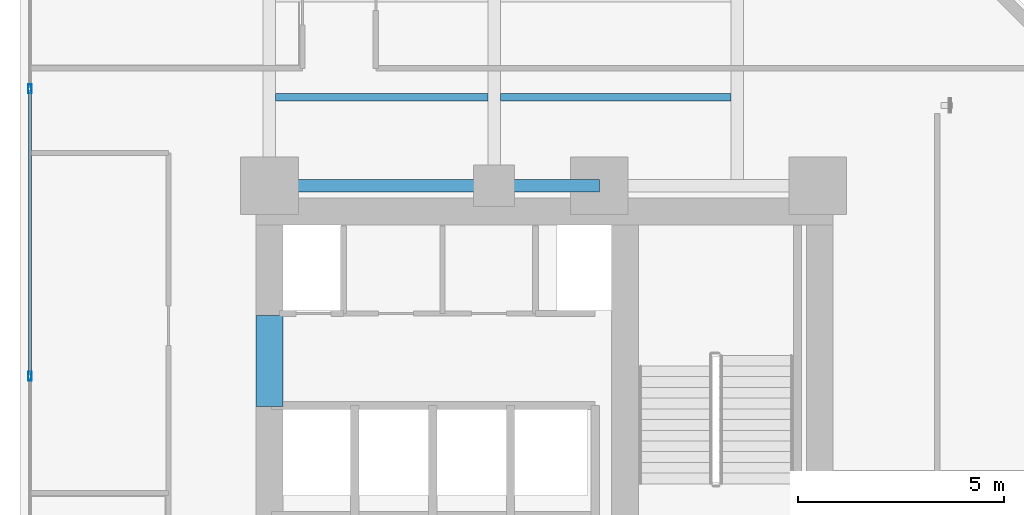
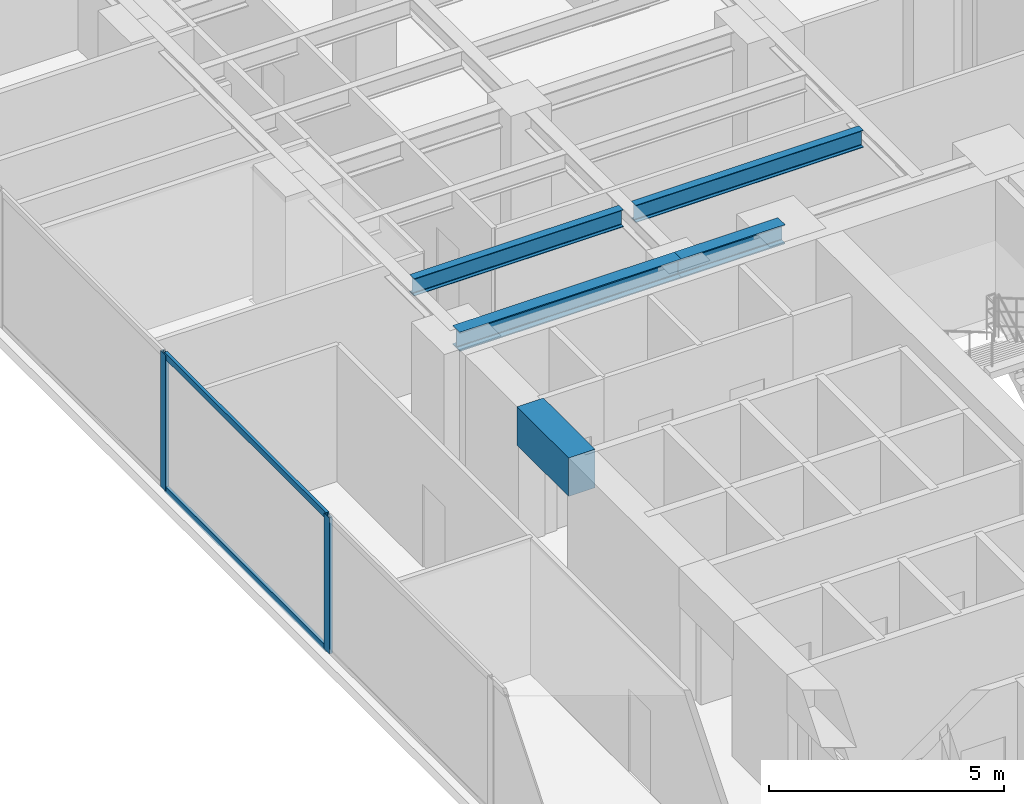
# One storey, part 6 of 28: 5 beams, 4 members, 1 element without a shape of its own.
"""IFC4 building model written with IfcOpenShell, lengths in metres."""

from ifc_helpers import new_model, si_unit, direction, frame, origin, origin_with_axes, origin_2d, place, context, subcontext, project, spatial, rectangle, hollow_rectangle, i_section, extrude, source, transform, mapped, material, layer, layer_set, material_profile, profile_set, type_object, element, aggregate, save


model = new_model("IFC4")

# Units and contexts
model_context = context("Model", 3, precision=1e-05, world=origin(), true_north=direction((0.0, 1.0)))
body_context = subcontext(model_context, "Body", "Model", "MODEL_VIEW")
ifc_project = project(units=[si_unit("LENGTHUNIT", "METRE"), si_unit("AREAUNIT", "SQUARE_METRE"), si_unit("VOLUMEUNIT", "CUBIC_METRE"), si_unit("PLANEANGLEUNIT", "RADIAN"), si_unit("MASSUNIT", "GRAM", prefix="KILO")], contexts=[model_context])

# Site, building, storey
site_placement = place(None, origin())
site = spatial("IfcSite", under=ifc_project, at=site_placement, CompositionType="ELEMENT")
building_placement = place(site_placement, origin())
building = spatial("IfcBuilding", under=site, at=building_placement, Name="Kolvaren Waterfront Exchange", CompositionType="ELEMENT")
storey_placement = place(building_placement, frame((0.0, 0.0, 103.10009765625)))
storey = spatial("IfcBuildingStorey", under=building, at=storey_placement, Name="L26", CompositionType="ELEMENT", Elevation=103.10009765625)

# Beams
ifc_material_1 = material(Name="Steel S355", Category="steel")
ifc_material_profile_1 = material_profile(ifc_material_1, i_section(OverallWidth=0.300048828125, OverallDepth=0.5, WebThickness=0.014404296875, FlangeThickness=0.028076171875, FilletRadius=0.027099609375, at=origin_2d()), Name="HEB500")
ifc_profile_set_1 = profile_set([ifc_material_profile_1], Name="Steel S355")
beam_type_1 = type_object("IfcBeamType", Name="STR-BM-HEB500", PredefinedType="BEAM", material=ifc_profile_set_1)
beam_1_placement = place(storey_placement, frame((7.449951171875, 24.449951171875, 3.289794921875), z_axis=(1.0, 0.0, 0.0), x_axis=(0.0, 1.0, 0.0)))
element("IfcBeam", 1, at=beam_1_placement, inside=storey, type_object=beam_type_1, Name="L26 north-arm girder 1A", PredefinedType="BEAM", context=body_context, shape_type="SweptSolid", body=[
    extrude(i_section(OverallWidth=0.300048828125, OverallDepth=0.5, WebThickness=0.014404296875, FlangeThickness=0.028076171875, FilletRadius=0.027099609375, at=origin_2d()), origin(), (0.0, 0.0, 1.0), 5.449951171875),
])
beam_2_placement = place(storey_placement, frame((12.89990234375, 24.449951171875, 3.289794921875), z_axis=(1.0, 0.0, 0.0), x_axis=(0.0, 1.0, 0.0)))
element("IfcBeam", 2, at=beam_2_placement, inside=storey, type_object=beam_type_1, Name="L26 north-arm girder 1B", PredefinedType="BEAM", context=body_context, shape_type="SweptSolid", body=[
    extrude(i_section(OverallWidth=0.300048828125, OverallDepth=0.5, WebThickness=0.014404296875, FlangeThickness=0.028076171875, FilletRadius=0.027099609375, at=origin_2d()), origin(), (0.0, 0.0, 1.0), 2.550048828125),
])
ifc_material_profile_2 = material_profile(ifc_material_1, i_section(OverallWidth=0.18994140625, OverallDepth=0.449951171875, WebThickness=0.009521484375, FlangeThickness=0.0146484375, FilletRadius=0.02099609375, at=origin_2d()), Name="IPE450")
ifc_profile_set_2 = profile_set([ifc_material_profile_2], Name="Steel S355")
beam_type_2 = type_object("IfcBeamType", Name="STR-BM-IPE450", PredefinedType="JOIST", material=ifc_profile_set_2)
beam_3_placement = place(storey_placement, frame((7.60205078125, 26.60009765625, 3.31494140625), z_axis=(1.0, 0.0, 0.0), x_axis=(0.0, 1.0, 0.0)))
element("IfcBeam", 3, at=beam_3_placement, inside=storey, type_object=beam_type_2, Name="L26 north-arm composite joist 1A", PredefinedType="JOIST", context=body_context, shape_type="SweptSolid", body=[
    extrude(i_section(OverallWidth=0.18994140625, OverallDepth=0.449951171875, WebThickness=0.009521484375, FlangeThickness=0.0146484375, FilletRadius=0.02099609375, at=origin_2d()), origin(), (0.0, 0.0, 1.0), 5.14599609375),
])
beam_4_placement = place(storey_placement, frame((13.052001953125, 26.60009765625, 3.31494140625), z_axis=(1.0, 0.0, 0.0), x_axis=(0.0, 1.0, 0.0)))
element("IfcBeam", 4, at=beam_4_placement, inside=storey, type_object=beam_type_2, Name="L26 north-arm composite joist 1B", PredefinedType="JOIST", context=body_context, shape_type="SweptSolid", body=[
    extrude(i_section(OverallWidth=0.18994140625, OverallDepth=0.449951171875, WebThickness=0.009521484375, FlangeThickness=0.0146484375, FilletRadius=0.02099609375, at=origin_2d()), origin(), (0.0, 0.0, 1.0), 5.595947265625),
])
ifc_material_2 = material(Name="Concrete C60/75", Category="concrete")
ifc_material_profile_3 = material_profile(ifc_material_2, rectangle(XDim=0.64990234375, YDim=1.0, at=origin_2d()), Name="RC-CB-1000x650")
ifc_profile_set_3 = profile_set([ifc_material_profile_3], Name="Concrete C60/75")
beam_type_3 = type_object("IfcBeamType", Name="STR-CB-1000", PredefinedType="SPANDREL", material=ifc_profile_set_3)
beam_5_placement = place(storey_placement, frame((7.449951171875, 19.10009765625, 3.039794921875), z_axis=(0.0, 1.0, 0.0), x_axis=(-1.0, 0.0, 0.0)))
element("IfcBeam", 5, at=beam_5_placement, inside=storey, type_object=beam_type_3, Name="L26 core coupling beam 5", PredefinedType="SPANDREL", context=body_context, shape_type="SweptSolid", body=[
    extrude(rectangle(XDim=0.64990234375, YDim=1.0, at=origin_2d()), origin(), (0.0, 0.0, 1.0), 2.199951171875),
])

# Curtain wall, members
ifc_material_3 = material(Name="Anodised aluminium 6063-T6", Category="aluminium")
ifc_layer = layer(ifc_material_3, 0.219970703125, Name="Anodised aluminium 6063-T6")
ifc_layer_set = layer_set([ifc_layer], Name="Anodised aluminium 6063-T6")
curtain_wall_type = type_object("IfcCurtainWallType", Name="ARC-CW-SYS2", PredefinedType="USERDEFINED", material=ifc_layer_set)
curtain_wall_placement = place(storey_placement, origin())
curtain_wall = element("IfcCurtainWall", 6, at=curtain_wall_placement, inside=storey, type_object=curtain_wall_type, Name="L26 stick curtain wall CW2 (CW-L26-W)", ObjectType="STICK CURTAIN WALL", PredefinedType="USERDEFINED")
ifc_material_profile_4 = material_profile(ifc_material_3, hollow_rectangle(XDim=0.080078125, YDim=0.219970703125, WallThickness=0.0048828125, at=origin_2d()), Name="ALU-MUL-220x80x5")
ifc_profile_set_4 = profile_set([ifc_material_profile_4], Name="Anodised aluminium 6063-T6")
member_type_1 = type_object("IfcMemberType", Name="ARC-CWM-220", PredefinedType="MULLION", material=ifc_profile_set_4)
shared_shape_1 = source(origin_with_axes(), body_context, "Body", "SweptSolid", [
    extrude(hollow_rectangle(XDim=0.080078125, YDim=0.219970703125, WallThickness=0.0048828125, at=origin_2d()), origin(), (0.0, 0.0, 1.0), 3.539794921875),
])
member_1_placement = place(storey_placement, frame((1.639892578125, 19.833251953125, 0.0), z_axis=(0.0, 0.0, 1.0), x_axis=(-1.0, 0.0, 0.0)))
member_1 = element("IfcMember", 7, at=member_1_placement, type_object=member_type_1, Name="CW2 mullion 3", PredefinedType="MULLION", context=body_context, shape_type="MappedRepresentation", body=[
    mapped(shared_shape_1, transform((0.0, 0.0, 0.0), x_axis=(1.0, 0.0, 0.0), y_axis=(0.0, 1.0, 0.0), z_axis=(0.0, 0.0, 1.0), scale=1.0)),
])
member_2_placement = place(storey_placement, frame((1.639892578125, 26.800048828125, 0.0), z_axis=(0.0, 0.0, 1.0), x_axis=(-1.0, 0.0, 0.0)))
member_2 = element("IfcMember", 8, at=member_2_placement, type_object=member_type_1, Name="CW2 mullion 4", PredefinedType="MULLION", context=body_context, shape_type="MappedRepresentation", body=[
    mapped(shared_shape_1, transform((0.0, 0.0, 0.0), x_axis=(1.0, 0.0, 0.0), y_axis=(0.0, 1.0, 0.0), z_axis=(0.0, 0.0, 1.0), scale=1.0)),
])
ifc_material_profile_5 = material_profile(ifc_material_3, hollow_rectangle(XDim=0.074951171875, YDim=0.159912109375, WallThickness=0.00439453125, at=origin_2d()), Name="ALU-TRN-160x75x4.5")
ifc_profile_set_5 = profile_set([ifc_material_profile_5], Name="Anodised aluminium 6063-T6")
member_type_2 = type_object("IfcMemberType", Name="ARC-CWT-160", PredefinedType="USERDEFINED", material=ifc_profile_set_5)
shared_shape_2 = source(origin_with_axes(), body_context, "Body", "SweptSolid", [
    extrude(hollow_rectangle(XDim=0.074951171875, YDim=0.159912109375, WallThickness=0.00439453125, at=origin_2d()), origin(), (0.0, 0.0, 1.0), 6.88671875),
])
member_3_placement = place(storey_placement, frame((1.639892578125, 19.873291015625, 0.037353515625), z_axis=(0.0, 1.0, 0.0), x_axis=(-1.0, 0.0, 0.0)))
member_3 = element("IfcMember", 9, at=member_3_placement, type_object=member_type_2, Name="CW2 transom 3.1", ObjectType="TRANSOM", PredefinedType="USERDEFINED", context=body_context, shape_type="MappedRepresentation", body=[
    mapped(shared_shape_2, transform((0.0, 0.0, 0.0), x_axis=(1.0, 0.0, 0.0), y_axis=(0.0, 1.0, 0.0), z_axis=(0.0, 0.0, 1.0), scale=1.0)),
])
member_4_placement = place(storey_placement, frame((1.639892578125, 19.873291015625, 3.50244140625), z_axis=(0.0, 1.0, 0.0), x_axis=(-1.0, 0.0, 0.0)))
member_4 = element("IfcMember", 10, at=member_4_placement, type_object=member_type_2, Name="CW2 transom 3.2", ObjectType="TRANSOM", PredefinedType="USERDEFINED", context=body_context, shape_type="MappedRepresentation", body=[
    mapped(shared_shape_2, transform((0.0, 0.0, 0.0), x_axis=(1.0, 0.0, 0.0), y_axis=(0.0, 1.0, 0.0), z_axis=(0.0, 0.0, 1.0), scale=1.0)),
])
aggregate(curtain_wall, [member_1, member_2, member_3, member_4])

save(model, "model.ifc")
